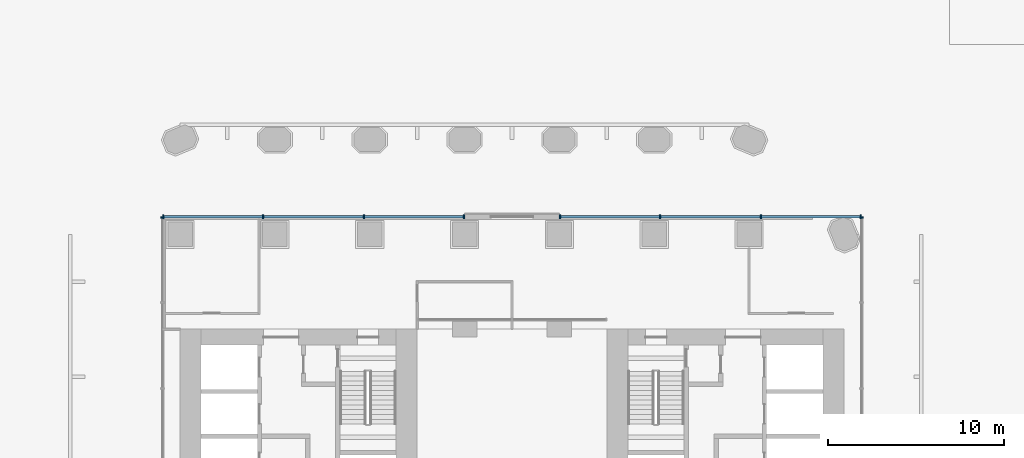
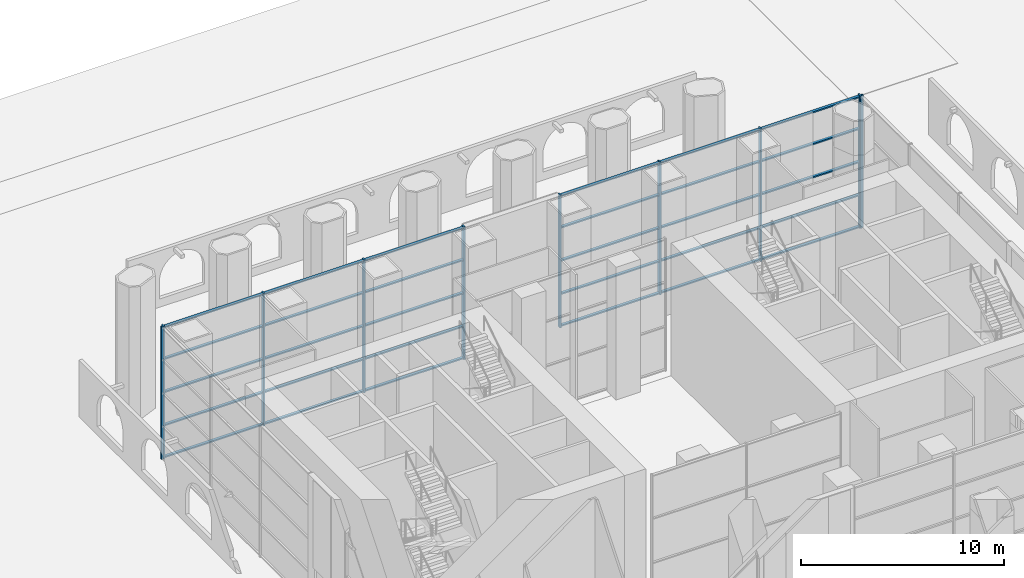
# One storey, part 15 of 54: 40 members, 4 elements without a shape of their own.
"""IFC4 building model written with IfcOpenShell, lengths in metres."""

from ifc_helpers import new_model, si_unit, direction, frame, origin, origin_2d, place, context, subcontext, project, spatial, rectangle, extrude, material, material_profile, profile_set, type_object, element, aggregate, save


model = new_model("IFC4")

# Units and contexts
model_context = context("Model", 3, precision=1e-05, world=origin(), true_north=direction((0.0, 1.0)))
body_context = subcontext(model_context, "Body", "Model", "MODEL_VIEW")
ifc_project = project(units=[si_unit("LENGTHUNIT", "METRE"), si_unit("AREAUNIT", "SQUARE_METRE"), si_unit("VOLUMEUNIT", "CUBIC_METRE"), si_unit("PLANEANGLEUNIT", "RADIAN"), si_unit("MASSUNIT", "GRAM", prefix="KILO")], contexts=[model_context])

# Site, building, storey
site_placement = place(None, origin())
site = spatial("IfcSite", under=ifc_project, at=site_placement, CompositionType="ELEMENT")
building_placement = place(site_placement, origin())
building = spatial("IfcBuilding", under=site, at=building_placement, Name="Tabaq Tower and Sports Hall", CompositionType="ELEMENT")
storey_placement = place(building_placement, origin())
storey = spatial("IfcBuildingStorey", under=building, at=storey_placement, Name="L00", CompositionType="ELEMENT", Elevation=0.0)

# Curtain wall, members
ifc_material_1 = material(Name="Aluminium alloy 6063-T6 framed glazing", Category="aluminium")
curtain_wall_type = type_object("IfcCurtainWallType", Name="CW4 curtain wall", PredefinedType="USERDEFINED", material=ifc_material_1)
curtain_wall_1_placement = place(storey_placement, origin())
curtain_wall_1 = element("IfcCurtainWall", 1, at=curtain_wall_1_placement, inside=storey, type_object=curtain_wall_type, Name="Ground lobby wall N", ObjectType="GROUND LOBBY WALL", PredefinedType="USERDEFINED")
ifc_material_2 = material(Name="Aluminium alloy 6063-T6", Category="aluminium")
ifc_material_profile_1 = material_profile(ifc_material_2, rectangle(XDim=0.219970703125, YDim=0.080078125, at=origin_2d()), Name="MULLION 220x80")
ifc_profile_set_1 = profile_set([ifc_material_profile_1], Name="Aluminium alloy 6063-T6")
member_type_1 = type_object("IfcMemberType", Name="CW4 mullion 220x80", PredefinedType="MULLION", material=ifc_profile_set_1)
member_1_placement = place(storey_placement, frame((4.43994140625, 38.800048828125, 0.0), z_axis=(0.0, 0.0, 1.0), x_axis=(0.0, 1.0, 0.0)))
member_1 = element("IfcMember", 2, at=member_1_placement, type_object=member_type_1, Name="CW4 mullion 1", PredefinedType="MULLION", context=body_context, shape_type="SweptSolid", body=[
    extrude(rectangle(XDim=0.219970703125, YDim=0.080078125, at=origin_2d()), origin(), (0.0, 0.0, 1.0), 8.0),
])
member_2_placement = place(storey_placement, frame((10.13330078125, 38.800048828125, 0.0), z_axis=(0.0, 0.0, 1.0), x_axis=(0.0, 1.0, 0.0)))
member_2 = element("IfcMember", 3, at=member_2_placement, type_object=member_type_1, Name="CW4 mullion 2", PredefinedType="MULLION", context=body_context, shape_type="SweptSolid", body=[
    extrude(rectangle(XDim=0.219970703125, YDim=0.080078125, at=origin_2d()), origin(), (0.0, 0.0, 1.0), 8.0),
])
member_3_placement = place(storey_placement, frame((15.86669921875, 38.800048828125, 0.0), z_axis=(0.0, 0.0, 1.0), x_axis=(0.0, 1.0, 0.0)))
member_3 = element("IfcMember", 4, at=member_3_placement, type_object=member_type_1, Name="CW4 mullion 3", PredefinedType="MULLION", context=body_context, shape_type="SweptSolid", body=[
    extrude(rectangle(XDim=0.219970703125, YDim=0.080078125, at=origin_2d()), origin(), (0.0, 0.0, 1.0), 8.0),
])
member_4_placement = place(storey_placement, frame((21.56005859375, 38.800048828125, 0.0), z_axis=(0.0, 0.0, 1.0), x_axis=(0.0, 1.0, 0.0)))
member_4 = element("IfcMember", 5, at=member_4_placement, type_object=member_type_1, Name="CW4 mullion 4", PredefinedType="MULLION", context=body_context, shape_type="SweptSolid", body=[
    extrude(rectangle(XDim=0.219970703125, YDim=0.080078125, at=origin_2d()), origin(), (0.0, 0.0, 1.0), 8.0),
])

curtain_wall_2_placement = place(storey_placement, origin())
curtain_wall_2 = element("IfcCurtainWall", 6, at=curtain_wall_2_placement, inside=storey, type_object=curtain_wall_type, Name="Ground lobby wall N", ObjectType="GROUND LOBBY WALL", PredefinedType="USERDEFINED")
member_5_placement = place(storey_placement, frame((27.0400390625, 38.800048828125, 0.0), z_axis=(0.0, 0.0, 1.0), x_axis=(0.0, 1.0, 0.0)))
member_5 = element("IfcMember", 7, at=member_5_placement, type_object=member_type_1, Name="CW4 mullion 1", PredefinedType="MULLION", context=body_context, shape_type="SweptSolid", body=[
    extrude(rectangle(XDim=0.219970703125, YDim=0.080078125, at=origin_2d()), origin(), (0.0, 0.0, 1.0), 8.0),
])
member_6_placement = place(storey_placement, frame((32.7333984375, 38.800048828125, 0.0), z_axis=(0.0, 0.0, 1.0), x_axis=(0.0, 1.0, 0.0)))
member_6 = element("IfcMember", 8, at=member_6_placement, type_object=member_type_1, Name="CW4 mullion 2", PredefinedType="MULLION", context=body_context, shape_type="SweptSolid", body=[
    extrude(rectangle(XDim=0.219970703125, YDim=0.080078125, at=origin_2d()), origin(), (0.0, 0.0, 1.0), 8.0),
])
member_7_placement = place(storey_placement, frame((38.466552734375, 38.800048828125, 0.0), z_axis=(0.0, 0.0, 1.0), x_axis=(0.0, 1.0, 0.0)))
member_7 = element("IfcMember", 9, at=member_7_placement, type_object=member_type_1, Name="CW4 mullion 3", PredefinedType="MULLION", context=body_context, shape_type="SweptSolid", body=[
    extrude(rectangle(XDim=0.219970703125, YDim=0.080078125, at=origin_2d()), origin(), (0.0, 0.0, 1.0), 8.0),
])
member_8_placement = place(storey_placement, frame((44.159912109375, 38.800048828125, 0.0), z_axis=(0.0, 0.0, 1.0), x_axis=(0.0, 1.0, 0.0)))
member_8 = element("IfcMember", 10, at=member_8_placement, type_object=member_type_1, Name="CW4 mullion 4", PredefinedType="MULLION", context=body_context, shape_type="SweptSolid", body=[
    extrude(rectangle(XDim=0.219970703125, YDim=0.080078125, at=origin_2d()), origin(), (0.0, 0.0, 1.0), 8.0),
])

# Curtain wall, member
curtain_wall_3_placement = place(storey_placement, origin())
curtain_wall_3 = element("IfcCurtainWall", 11, at=curtain_wall_3_placement, inside=storey, type_object=curtain_wall_type, Name="Ground lobby wall W", ObjectType="GROUND LOBBY WALL", PredefinedType="USERDEFINED")
member_9_placement = place(storey_placement, frame((4.39990234375, 38.760009765625, 0.0), z_axis=(0.0, 0.0, 1.0), x_axis=(-1.0, 0.0, 0.0)))
member_9 = element("IfcMember", 12, at=member_9_placement, type_object=member_type_1, Name="CW4 mullion 4", PredefinedType="MULLION", context=body_context, shape_type="SweptSolid", body=[
    extrude(rectangle(XDim=0.219970703125, YDim=0.080078125, at=origin_2d()), origin(), (0.0, 0.0, 1.0), 8.0),
])
aggregate(curtain_wall_3, [member_9])

curtain_wall_4_placement = place(storey_placement, origin())
curtain_wall_4 = element("IfcCurtainWall", 13, at=curtain_wall_4_placement, inside=storey, type_object=curtain_wall_type, Name="Ground lobby wall E", ObjectType="GROUND LOBBY WALL", PredefinedType="USERDEFINED")
member_10_placement = place(storey_placement, frame((44.199951171875, 38.760009765625, 0.0), z_axis=(0.0, 0.0, 1.0), x_axis=(1.0, 0.0, 0.0)))
member_10 = element("IfcMember", 14, at=member_10_placement, type_object=member_type_1, Name="CW4 mullion 1", PredefinedType="MULLION", context=body_context, shape_type="SweptSolid", body=[
    extrude(rectangle(XDim=0.219970703125, YDim=0.080078125, at=origin_2d()), origin(), (0.0, 0.0, 1.0), 8.0),
])
aggregate(curtain_wall_4, [member_10])

# Member
ifc_material_3 = material(Name="Aluminium alloy 6063-T6", Category="aluminium")
ifc_material_profile_2 = material_profile(ifc_material_3, rectangle(XDim=0.159912109375, YDim=0.080078125, at=origin_2d()), Name="TRANSOM 160x80")
ifc_profile_set_2 = profile_set([ifc_material_profile_2], Name="Aluminium alloy 6063-T6")
member_type_2 = type_object("IfcMemberType", Name="CW4 transom 160x80", PredefinedType="USERDEFINED", material=ifc_profile_set_2)
member_11_placement = place(storey_placement, frame((4.47998046875, 38.800048828125, 0.080078125), z_axis=(1.0, 0.0, 0.0), x_axis=(0.0, 1.0, 0.0)))
member_11 = element("IfcMember", 15, at=member_11_placement, type_object=member_type_2, Name="CW4 transom 1.1", ObjectType="TRANSOM", PredefinedType="USERDEFINED", context=body_context, shape_type="SweptSolid", body=[
    extrude(rectangle(XDim=0.159912109375, YDim=0.080078125, at=origin_2d()), origin(), (0.0, 0.0, 1.0), 5.61328125),
])

member_12_placement = place(storey_placement, frame((4.47998046875, 38.800048828125, 2.0), z_axis=(1.0, 0.0, 0.0), x_axis=(0.0, 1.0, 0.0)))
member_12 = element("IfcMember", 16, at=member_12_placement, type_object=member_type_2, Name="CW4 transom 1.2", ObjectType="TRANSOM", PredefinedType="USERDEFINED", context=body_context, shape_type="SweptSolid", body=[
    extrude(rectangle(XDim=0.159912109375, YDim=0.080078125, at=origin_2d()), origin(), (0.0, 0.0, 1.0), 5.61328125),
])

member_13_placement = place(storey_placement, frame((4.47998046875, 38.800048828125, 4.0), z_axis=(1.0, 0.0, 0.0), x_axis=(0.0, 1.0, 0.0)))
member_13 = element("IfcMember", 17, at=member_13_placement, type_object=member_type_2, Name="CW4 transom 1.3", ObjectType="TRANSOM", PredefinedType="USERDEFINED", context=body_context, shape_type="SweptSolid", body=[
    extrude(rectangle(XDim=0.159912109375, YDim=0.080078125, at=origin_2d()), origin(), (0.0, 0.0, 1.0), 5.61328125),
])

member_14_placement = place(storey_placement, frame((4.47998046875, 38.800048828125, 6.0), z_axis=(1.0, 0.0, 0.0), x_axis=(0.0, 1.0, 0.0)))
member_14 = element("IfcMember", 18, at=member_14_placement, type_object=member_type_2, Name="CW4 transom 1.4", ObjectType="TRANSOM", PredefinedType="USERDEFINED", context=body_context, shape_type="SweptSolid", body=[
    extrude(rectangle(XDim=0.159912109375, YDim=0.080078125, at=origin_2d()), origin(), (0.0, 0.0, 1.0), 5.61328125),
])

member_15_placement = place(storey_placement, frame((4.47998046875, 38.800048828125, 7.919921875), z_axis=(1.0, 0.0, 0.0), x_axis=(0.0, 1.0, 0.0)))
member_15 = element("IfcMember", 19, at=member_15_placement, type_object=member_type_2, Name="CW4 transom 1.5", ObjectType="TRANSOM", PredefinedType="USERDEFINED", context=body_context, shape_type="SweptSolid", body=[
    extrude(rectangle(XDim=0.159912109375, YDim=0.080078125, at=origin_2d()), origin(), (0.0, 0.0, 1.0), 5.61328125),
])

member_16_placement = place(storey_placement, frame((10.17333984375, 38.800048828125, 0.080078125), z_axis=(1.0, 0.0, 0.0), x_axis=(0.0, 1.0, 0.0)))
member_16 = element("IfcMember", 20, at=member_16_placement, type_object=member_type_2, Name="CW4 transom 2.1", ObjectType="TRANSOM", PredefinedType="USERDEFINED", context=body_context, shape_type="SweptSolid", body=[
    extrude(rectangle(XDim=0.159912109375, YDim=0.080078125, at=origin_2d()), origin(), (0.0, 0.0, 1.0), 5.6533203125),
])

member_17_placement = place(storey_placement, frame((10.17333984375, 38.800048828125, 2.0), z_axis=(1.0, 0.0, 0.0), x_axis=(0.0, 1.0, 0.0)))
member_17 = element("IfcMember", 21, at=member_17_placement, type_object=member_type_2, Name="CW4 transom 2.2", ObjectType="TRANSOM", PredefinedType="USERDEFINED", context=body_context, shape_type="SweptSolid", body=[
    extrude(rectangle(XDim=0.159912109375, YDim=0.080078125, at=origin_2d()), origin(), (0.0, 0.0, 1.0), 5.6533203125),
])

member_18_placement = place(storey_placement, frame((10.17333984375, 38.800048828125, 4.0), z_axis=(1.0, 0.0, 0.0), x_axis=(0.0, 1.0, 0.0)))
member_18 = element("IfcMember", 22, at=member_18_placement, type_object=member_type_2, Name="CW4 transom 2.3", ObjectType="TRANSOM", PredefinedType="USERDEFINED", context=body_context, shape_type="SweptSolid", body=[
    extrude(rectangle(XDim=0.159912109375, YDim=0.080078125, at=origin_2d()), origin(), (0.0, 0.0, 1.0), 5.6533203125),
])

member_19_placement = place(storey_placement, frame((10.17333984375, 38.800048828125, 6.0), z_axis=(1.0, 0.0, 0.0), x_axis=(0.0, 1.0, 0.0)))
member_19 = element("IfcMember", 23, at=member_19_placement, type_object=member_type_2, Name="CW4 transom 2.4", ObjectType="TRANSOM", PredefinedType="USERDEFINED", context=body_context, shape_type="SweptSolid", body=[
    extrude(rectangle(XDim=0.159912109375, YDim=0.080078125, at=origin_2d()), origin(), (0.0, 0.0, 1.0), 5.6533203125),
])

member_20_placement = place(storey_placement, frame((10.17333984375, 38.800048828125, 7.919921875), z_axis=(1.0, 0.0, 0.0), x_axis=(0.0, 1.0, 0.0)))
member_20 = element("IfcMember", 24, at=member_20_placement, type_object=member_type_2, Name="CW4 transom 2.5", ObjectType="TRANSOM", PredefinedType="USERDEFINED", context=body_context, shape_type="SweptSolid", body=[
    extrude(rectangle(XDim=0.159912109375, YDim=0.080078125, at=origin_2d()), origin(), (0.0, 0.0, 1.0), 5.6533203125),
])

member_21_placement = place(storey_placement, frame((15.90673828125, 38.800048828125, 0.080078125), z_axis=(1.0, 0.0, 0.0), x_axis=(0.0, 1.0, 0.0)))
member_21 = element("IfcMember", 25, at=member_21_placement, type_object=member_type_2, Name="CW4 transom 3.1", ObjectType="TRANSOM", PredefinedType="USERDEFINED", context=body_context, shape_type="SweptSolid", body=[
    extrude(rectangle(XDim=0.159912109375, YDim=0.080078125, at=origin_2d()), origin(), (0.0, 0.0, 1.0), 5.61328125),
])

member_22_placement = place(storey_placement, frame((15.90673828125, 38.800048828125, 2.0), z_axis=(1.0, 0.0, 0.0), x_axis=(0.0, 1.0, 0.0)))
member_22 = element("IfcMember", 26, at=member_22_placement, type_object=member_type_2, Name="CW4 transom 3.2", ObjectType="TRANSOM", PredefinedType="USERDEFINED", context=body_context, shape_type="SweptSolid", body=[
    extrude(rectangle(XDim=0.159912109375, YDim=0.080078125, at=origin_2d()), origin(), (0.0, 0.0, 1.0), 5.61328125),
])

member_23_placement = place(storey_placement, frame((15.90673828125, 38.800048828125, 4.0), z_axis=(1.0, 0.0, 0.0), x_axis=(0.0, 1.0, 0.0)))
member_23 = element("IfcMember", 27, at=member_23_placement, type_object=member_type_2, Name="CW4 transom 3.3", ObjectType="TRANSOM", PredefinedType="USERDEFINED", context=body_context, shape_type="SweptSolid", body=[
    extrude(rectangle(XDim=0.159912109375, YDim=0.080078125, at=origin_2d()), origin(), (0.0, 0.0, 1.0), 5.61328125),
])

member_24_placement = place(storey_placement, frame((15.90673828125, 38.800048828125, 6.0), z_axis=(1.0, 0.0, 0.0), x_axis=(0.0, 1.0, 0.0)))
member_24 = element("IfcMember", 28, at=member_24_placement, type_object=member_type_2, Name="CW4 transom 3.4", ObjectType="TRANSOM", PredefinedType="USERDEFINED", context=body_context, shape_type="SweptSolid", body=[
    extrude(rectangle(XDim=0.159912109375, YDim=0.080078125, at=origin_2d()), origin(), (0.0, 0.0, 1.0), 5.61328125),
])

member_25_placement = place(storey_placement, frame((15.90673828125, 38.800048828125, 7.919921875), z_axis=(1.0, 0.0, 0.0), x_axis=(0.0, 1.0, 0.0)))
member_25 = element("IfcMember", 29, at=member_25_placement, type_object=member_type_2, Name="CW4 transom 3.5", ObjectType="TRANSOM", PredefinedType="USERDEFINED", context=body_context, shape_type="SweptSolid", body=[
    extrude(rectangle(XDim=0.159912109375, YDim=0.080078125, at=origin_2d()), origin(), (0.0, 0.0, 1.0), 5.61328125),
])

aggregate(curtain_wall_1, [member_1, member_2, member_3, member_4, member_11, member_12, member_13, member_14, member_15, member_16, member_17, member_18, member_19, member_20, member_21, member_22, member_23, member_24, member_25])

member_26_placement = place(storey_placement, frame((27.080078125, 38.800048828125, 0.080078125), z_axis=(1.0, 0.0, 0.0), x_axis=(0.0, 1.0, 0.0)))
member_26 = element("IfcMember", 30, at=member_26_placement, type_object=member_type_2, Name="CW4 transom 1.1", ObjectType="TRANSOM", PredefinedType="USERDEFINED", context=body_context, shape_type="SweptSolid", body=[
    extrude(rectangle(XDim=0.159912109375, YDim=0.080078125, at=origin_2d()), origin(), (0.0, 0.0, 1.0), 5.61328125),
])

member_27_placement = place(storey_placement, frame((27.080078125, 38.800048828125, 2.0), z_axis=(1.0, 0.0, 0.0), x_axis=(0.0, 1.0, 0.0)))
member_27 = element("IfcMember", 31, at=member_27_placement, type_object=member_type_2, Name="CW4 transom 1.2", ObjectType="TRANSOM", PredefinedType="USERDEFINED", context=body_context, shape_type="SweptSolid", body=[
    extrude(rectangle(XDim=0.159912109375, YDim=0.080078125, at=origin_2d()), origin(), (0.0, 0.0, 1.0), 5.61328125),
])

member_28_placement = place(storey_placement, frame((27.080078125, 38.800048828125, 4.0), z_axis=(1.0, 0.0, 0.0), x_axis=(0.0, 1.0, 0.0)))
member_28 = element("IfcMember", 32, at=member_28_placement, type_object=member_type_2, Name="CW4 transom 1.3", ObjectType="TRANSOM", PredefinedType="USERDEFINED", context=body_context, shape_type="SweptSolid", body=[
    extrude(rectangle(XDim=0.159912109375, YDim=0.080078125, at=origin_2d()), origin(), (0.0, 0.0, 1.0), 5.61328125),
])

member_29_placement = place(storey_placement, frame((27.080078125, 38.800048828125, 6.0), z_axis=(1.0, 0.0, 0.0), x_axis=(0.0, 1.0, 0.0)))
member_29 = element("IfcMember", 33, at=member_29_placement, type_object=member_type_2, Name="CW4 transom 1.4", ObjectType="TRANSOM", PredefinedType="USERDEFINED", context=body_context, shape_type="SweptSolid", body=[
    extrude(rectangle(XDim=0.159912109375, YDim=0.080078125, at=origin_2d()), origin(), (0.0, 0.0, 1.0), 5.61328125),
])

member_30_placement = place(storey_placement, frame((27.080078125, 38.800048828125, 7.919921875), z_axis=(1.0, 0.0, 0.0), x_axis=(0.0, 1.0, 0.0)))
member_30 = element("IfcMember", 34, at=member_30_placement, type_object=member_type_2, Name="CW4 transom 1.5", ObjectType="TRANSOM", PredefinedType="USERDEFINED", context=body_context, shape_type="SweptSolid", body=[
    extrude(rectangle(XDim=0.159912109375, YDim=0.080078125, at=origin_2d()), origin(), (0.0, 0.0, 1.0), 5.61328125),
])

member_31_placement = place(storey_placement, frame((32.7734375, 38.800048828125, 0.080078125), z_axis=(1.0, 0.0, 0.0), x_axis=(0.0, 1.0, 0.0)))
member_31 = element("IfcMember", 35, at=member_31_placement, type_object=member_type_2, Name="CW4 transom 2.1", ObjectType="TRANSOM", PredefinedType="USERDEFINED", context=body_context, shape_type="SweptSolid", body=[
    extrude(rectangle(XDim=0.159912109375, YDim=0.080078125, at=origin_2d()), origin(), (0.0, 0.0, 1.0), 5.6533203125),
])

member_32_placement = place(storey_placement, frame((32.7734375, 38.800048828125, 2.0), z_axis=(1.0, 0.0, 0.0), x_axis=(0.0, 1.0, 0.0)))
member_32 = element("IfcMember", 36, at=member_32_placement, type_object=member_type_2, Name="CW4 transom 2.2", ObjectType="TRANSOM", PredefinedType="USERDEFINED", context=body_context, shape_type="SweptSolid", body=[
    extrude(rectangle(XDim=0.159912109375, YDim=0.080078125, at=origin_2d()), origin(), (0.0, 0.0, 1.0), 5.6533203125),
])

member_33_placement = place(storey_placement, frame((32.7734375, 38.800048828125, 4.0), z_axis=(1.0, 0.0, 0.0), x_axis=(0.0, 1.0, 0.0)))
member_33 = element("IfcMember", 37, at=member_33_placement, type_object=member_type_2, Name="CW4 transom 2.3", ObjectType="TRANSOM", PredefinedType="USERDEFINED", context=body_context, shape_type="SweptSolid", body=[
    extrude(rectangle(XDim=0.159912109375, YDim=0.080078125, at=origin_2d()), origin(), (0.0, 0.0, 1.0), 5.6533203125),
])

member_34_placement = place(storey_placement, frame((32.7734375, 38.800048828125, 6.0), z_axis=(1.0, 0.0, 0.0), x_axis=(0.0, 1.0, 0.0)))
member_34 = element("IfcMember", 38, at=member_34_placement, type_object=member_type_2, Name="CW4 transom 2.4", ObjectType="TRANSOM", PredefinedType="USERDEFINED", context=body_context, shape_type="SweptSolid", body=[
    extrude(rectangle(XDim=0.159912109375, YDim=0.080078125, at=origin_2d()), origin(), (0.0, 0.0, 1.0), 5.6533203125),
])

member_35_placement = place(storey_placement, frame((32.7734375, 38.800048828125, 7.919921875), z_axis=(1.0, 0.0, 0.0), x_axis=(0.0, 1.0, 0.0)))
member_35 = element("IfcMember", 39, at=member_35_placement, type_object=member_type_2, Name="CW4 transom 2.5", ObjectType="TRANSOM", PredefinedType="USERDEFINED", context=body_context, shape_type="SweptSolid", body=[
    extrude(rectangle(XDim=0.159912109375, YDim=0.080078125, at=origin_2d()), origin(), (0.0, 0.0, 1.0), 5.6533203125),
])

member_36_placement = place(storey_placement, frame((38.506591796875, 38.800048828125, 0.080078125), z_axis=(1.0, 0.0, 0.0), x_axis=(0.0, 1.0, 0.0)))
member_36 = element("IfcMember", 40, at=member_36_placement, type_object=member_type_2, Name="CW4 transom 3.1", ObjectType="TRANSOM", PredefinedType="USERDEFINED", context=body_context, shape_type="SweptSolid", body=[
    extrude(rectangle(XDim=0.159912109375, YDim=0.080078125, at=origin_2d()), origin(), (0.0, 0.0, 1.0), 5.613525390625),
])

member_37_placement = place(storey_placement, frame((38.506591796875, 38.800048828125, 2.0), z_axis=(1.0, 0.0, 0.0), x_axis=(0.0, 1.0, 0.0)))
member_37 = element("IfcMember", 41, at=member_37_placement, type_object=member_type_2, Name="CW4 transom 3.2", ObjectType="TRANSOM", PredefinedType="USERDEFINED", context=body_context, shape_type="SweptSolid", body=[
    extrude(rectangle(XDim=0.159912109375, YDim=0.080078125, at=origin_2d()), origin(), (0.0, 0.0, 1.0), 5.613525390625),
])

member_38_placement = place(storey_placement, frame((38.506591796875, 38.800048828125, 4.0), z_axis=(1.0, 0.0, 0.0), x_axis=(0.0, 1.0, 0.0)))
member_38 = element("IfcMember", 42, at=member_38_placement, type_object=member_type_2, Name="CW4 transom 3.3", ObjectType="TRANSOM", PredefinedType="USERDEFINED", context=body_context, shape_type="SweptSolid", body=[
    extrude(rectangle(XDim=0.159912109375, YDim=0.080078125, at=origin_2d()), origin(), (0.0, 0.0, 1.0), 5.613525390625),
])

member_39_placement = place(storey_placement, frame((38.506591796875, 38.800048828125, 6.0), z_axis=(1.0, 0.0, 0.0), x_axis=(0.0, 1.0, 0.0)))
member_39 = element("IfcMember", 43, at=member_39_placement, type_object=member_type_2, Name="CW4 transom 3.4", ObjectType="TRANSOM", PredefinedType="USERDEFINED", context=body_context, shape_type="SweptSolid", body=[
    extrude(rectangle(XDim=0.159912109375, YDim=0.080078125, at=origin_2d()), origin(), (0.0, 0.0, 1.0), 5.613525390625),
])

member_40_placement = place(storey_placement, frame((38.506591796875, 38.800048828125, 7.919921875), z_axis=(1.0, 0.0, 0.0), x_axis=(0.0, 1.0, 0.0)))
member_40 = element("IfcMember", 44, at=member_40_placement, type_object=member_type_2, Name="CW4 transom 3.5", ObjectType="TRANSOM", PredefinedType="USERDEFINED", context=body_context, shape_type="SweptSolid", body=[
    extrude(rectangle(XDim=0.159912109375, YDim=0.080078125, at=origin_2d()), origin(), (0.0, 0.0, 1.0), 5.613525390625),
])

aggregate(curtain_wall_2, [member_5, member_6, member_7, member_8, member_26, member_27, member_28, member_29, member_30, member_31, member_32, member_33, member_34, member_35, member_36, member_37, member_38, member_39, member_40])

save(model, "model.ifc")
